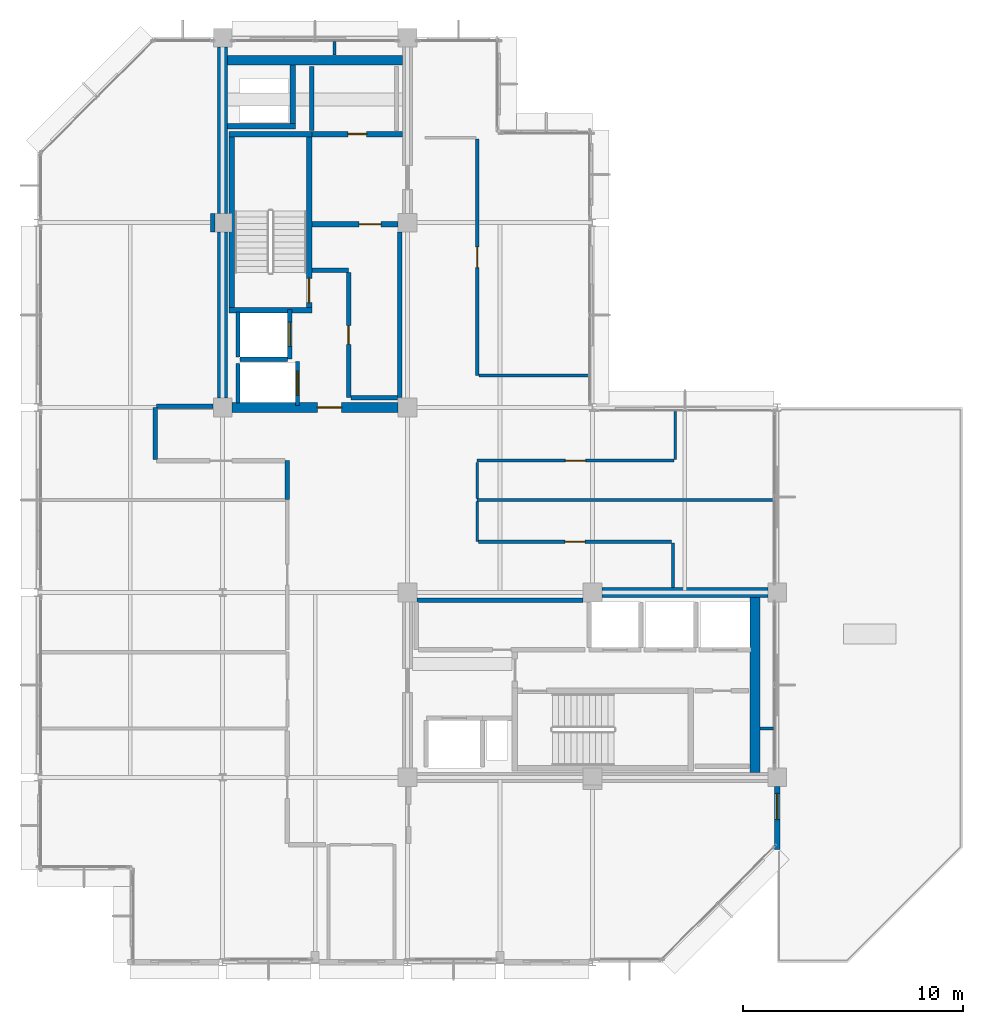
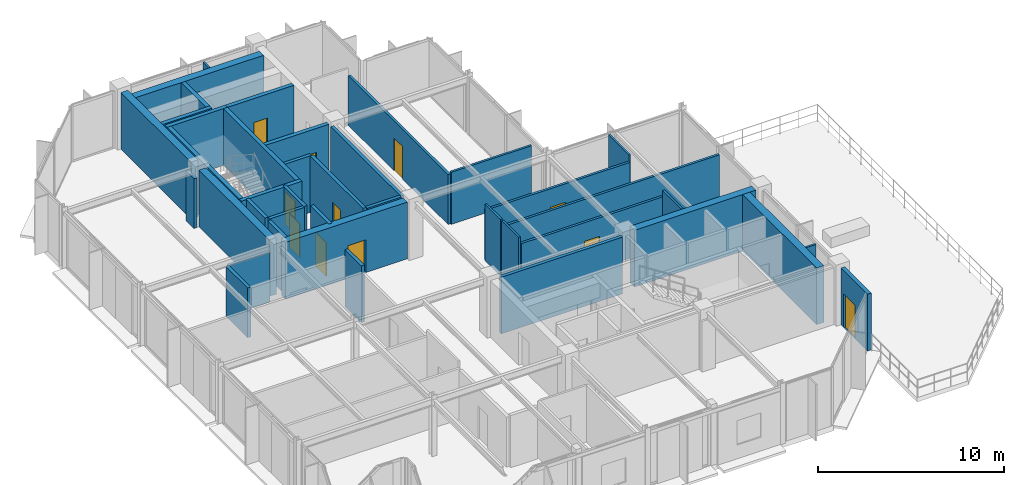
# One storey, part 18 of 23: 41 walls, 11 doors, 11 openings.
"""IFC4 building model written with IfcOpenShell, lengths in metres."""

import ifcopenshell
import ifcopenshell.guid

model = None  # the IFC model being written
_history = None  # IfcOwnerHistory: only IFC2X3 demands one
_inside = {}  # id of a spatial element -> (the spatial element, [elements in it])
_under = {}  # id of a project, library or spatial element -> (it, [spatial elements below it])
_declared = {}  # id of a project -> (the project, [libraries it declares])
_typed = {}  # id of a type object -> (the type object, [elements of that type])
_made_of = {}  # id of a material, layer set ... -> (it, [elements and type objects made of it])


def new_model(schema):
    """Start an empty IFC model of exactly this schema.

    Asked for "IFC4X3", IfcOpenShell would pick the latest addendum, in which some entities
    have other attributes; the version numbers below select the first issue.
    IFC2X3 requires an IfcOwnerHistory on every rooted entity: one is made here for all.
    """
    global model, _history
    if schema == "IFC4X3":
        model = ifcopenshell.file(schema_version=(4, 3, 0, 0))
    else:
        model = ifcopenshell.file(schema=schema)
    _inside.clear()
    _under.clear()
    _declared.clear()
    _typed.clear()
    _made_of.clear()
    _history = None
    if model.schema == "IFC2X3":
        org = make("IfcOrganization", Name="unknown")
        user = make(
            "IfcPersonAndOrganization",
            ThePerson=make("IfcPerson", FamilyName="unknown"),
            TheOrganization=org,
        )
        app = make(
            "IfcApplication",
            ApplicationDeveloper=org,
            Version="unknown",
            ApplicationFullName="unknown",
            ApplicationIdentifier="unknown",
        )
        _history = make(
            "IfcOwnerHistory",
            OwningUser=user,
            OwningApplication=app,
            ChangeAction="ADDED",
            CreationDate=0,
        )
    return model


def make(cls, **values):
    """One entity of the class cls with the attributes given. An attribute that is None is left unset."""
    return model.create_entity(
        cls, **{name: value for name, value in values.items() if value is not None}
    )


def rooted(cls, **values):
    """An entity with a GlobalId (a new one), such as an element, a storey or a relation."""
    return make(cls, GlobalId=ifcopenshell.guid.new(), OwnerHistory=_history, **values)


def si_unit(unit_type, name, prefix=None):
    """IfcSIUnit, for example si_unit("LENGTHUNIT", "METRE", prefix="MILLI")."""
    return make("IfcSIUnit", UnitType=unit_type, Prefix=prefix, Name=name)


def assignment(units):
    """IfcUnitAssignment: the units of a project."""
    return None if units is None else make("IfcUnitAssignment", Units=units)


def point(xyz):
    """IfcCartesianPoint."""
    return None if xyz is None else make("IfcCartesianPoint", Coordinates=xyz)


def direction(xyz):
    """IfcDirection."""
    return None if xyz is None else make("IfcDirection", DirectionRatios=xyz)


def frame(location, z_axis=None, x_axis=None):
    """IfcAxis2Placement3D, a coordinate frame: its origin and axes. An axis left out is left unset."""
    return make(
        "IfcAxis2Placement3D",
        Location=point(location),
        Axis=direction(z_axis),
        RefDirection=direction(x_axis),
    )


def frame_2d(location, x_axis=None):
    """IfcAxis2Placement2D, a coordinate frame in the plane: its origin and x axis."""
    return make(
        "IfcAxis2Placement2D", Location=point(location), RefDirection=direction(x_axis)
    )


def origin():
    """The frame at (0, 0, 0) with its axes left unset."""
    return frame((0.0, 0.0, 0.0))


def place(relative_to, where):
    """IfcLocalPlacement: puts the frame where relative to a parent placement (None: the world)."""
    return make(
        "IfcLocalPlacement", PlacementRelTo=relative_to, RelativePlacement=where
    )


def context(
    kind, dimensions, precision=None, world=None, true_north=None, identifier=None
):
    """IfcGeometricRepresentationContext, for example the 3D "Model" context."""
    return make(
        "IfcGeometricRepresentationContext",
        ContextIdentifier=identifier,
        ContextType=kind,
        CoordinateSpaceDimension=dimensions,
        Precision=precision,
        WorldCoordinateSystem=world,
        TrueNorth=true_north,
    )


def subcontext(parent, identifier, kind, view, scale=None):
    """IfcGeometricRepresentationSubContext, for example "Body" below "Model"."""
    return make(
        "IfcGeometricRepresentationSubContext",
        ContextIdentifier=identifier,
        ContextType=kind,
        ParentContext=parent,
        TargetScale=scale,
        TargetView=view,
    )


def project(units=None, contexts=None):
    """IfcProject with its units and contexts."""
    return rooted(
        "IfcProject",
        Name="project",
        RepresentationContexts=contexts,
        UnitsInContext=assignment(units),
    )


def spatial(cls, under=None, at=None, **own):
    """A site, building, storey or space (cls), placed at a placement, below another one or the project."""
    s = rooted(cls, ObjectPlacement=at, **own)
    if under is not None:
        _under.setdefault(under.id(), (under, []))[1].append(s)
    return s


def profile(cls, at=None, kind="AREA", **sizes):
    """A parametric profile (cls). Its sizes go by their IFC names, for example OverallWidth=200.0."""
    return make(cls, ProfileType=kind, Position=at, **sizes)


def rectangle(**sizes):
    """IfcRectangleProfileDef."""
    return profile("IfcRectangleProfileDef", **sizes)


def extrude(swept, where, along, depth):
    """IfcExtrudedAreaSolid: the profile swept, set in the frame where, extruded along a direction by depth."""
    return make(
        "IfcExtrudedAreaSolid",
        SweptArea=swept,
        Position=where,
        ExtrudedDirection=direction(along),
        Depth=depth,
    )


def shape(context_of_items, identifier, shape_type, items):
    """IfcShapeRepresentation: the items that make up one representation, for example the "Body"."""
    return make(
        "IfcShapeRepresentation",
        ContextOfItems=context_of_items,
        RepresentationIdentifier=identifier,
        RepresentationType=shape_type,
        Items=items,
    )


def material(Name=None, Category=None):
    """IfcMaterial."""
    return make("IfcMaterial", Name=Name, Category=Category)


def layer(
    of_material, thickness, ventilated=None, Name=None, Category=None, Priority=None
):
    """IfcMaterialLayer: one layer of a wall or slab, of a material (None: an air gap)."""
    return make(
        "IfcMaterialLayer",
        Material=of_material,
        LayerThickness=thickness,
        IsVentilated=ventilated,
        Name=Name,
        Category=Category,
        Priority=Priority,
    )


def layer_set(layers, Name=None):
    """IfcMaterialLayerSet."""
    return make("IfcMaterialLayerSet", MaterialLayers=layers, LayerSetName=Name)


def made_of(thing, what):
    """Note that an element or type object is made of a material, layer set ...; save() writes the relation."""
    if what is not None:
        _made_of.setdefault(what.id(), (what, []))[1].append(thing)
    return thing


def type_object(cls, material=None, **own):
    """A type object (cls), such as IfcWallType, which elements share."""
    return made_of(rooted(cls, **own), material)


def element(
    cls,
    number,
    at=None,
    inside=None,
    cuts=None,
    type_object=None,
    material=None,
    context=None,
    identifier="Body",
    shape_type=None,
    held_by="IfcProductDefinitionShape",
    body=None,
    shapes=None,
    **own,
):
    """One element of the class cls, such as IfcWall. Its Tag is "e" and its number.

    at: its placement. inside: the storey or other place that contains it. cuts: it is an
    opening in that element (IfcRelVoidsElement). A single representation is given by context,
    identifier, shape_type and body (its items); several are given by shapes. held_by: the class
    of the entity that holds the representations. save() writes the other relations.
    """
    e = rooted(cls, Tag="e%d" % number, ObjectPlacement=at, **own)
    if body is not None:
        shapes = [shape(context, identifier, shape_type, body)]
    if shapes is not None:
        e.Representation = make(held_by, Representations=shapes)
    if inside is not None:
        _inside.setdefault(inside.id(), (inside, []))[1].append(e)
    if cuts is not None:
        rooted(
            "IfcRelVoidsElement", RelatingBuildingElement=cuts, RelatedOpeningElement=e
        )
    if type_object is not None:
        _typed.setdefault(type_object.id(), (type_object, []))[1].append(e)
    return made_of(e, material)


def fill(opening, filler):
    """IfcRelFillsElement: the door or window that sits in an opening."""
    return rooted(
        "IfcRelFillsElement",
        RelatingOpeningElement=opening,
        RelatedBuildingElement=filler,
    )


def aggregate(whole, parts):
    """IfcRelAggregates: a whole, such as a stair, and the parts it consists of."""
    return rooted("IfcRelAggregates", RelatingObject=whole, RelatedObjects=parts)


def save(model, path):
    """Write the relations noted so far, then the file.

    IfcRelAggregates (storeys below a building ...), IfcRelContainedInSpatialStructure (elements
    in a storey), IfcRelDefinesByType, IfcRelAssociatesMaterial and IfcRelDeclares: one each for
    every whole, place, type object, material and project.
    """
    for whole, parts in _under.values():
        aggregate(whole, parts)
    for where, things in _inside.values():
        rooted(
            "IfcRelContainedInSpatialStructure",
            RelatedElements=things,
            RelatingStructure=where,
        )
    for kind, things in _typed.values():
        rooted("IfcRelDefinesByType", RelatedObjects=things, RelatingType=kind)
    for what, things in _made_of.values():
        rooted("IfcRelAssociatesMaterial", RelatedObjects=things, RelatingMaterial=what)
    for by, libraries in _declared.values():
        rooted("IfcRelDeclares", RelatingContext=by, RelatedDefinitions=libraries)
    model.write(path)


model = new_model("IFC4")

# Units and contexts
model_context = context("Model", 3, precision=1e-05, world=origin(), true_north=direction((0.0, 1.0)))
body_context = subcontext(model_context, "Body", "Model", "MODEL_VIEW")
ifc_project = project(units=[si_unit("LENGTHUNIT", "METRE"), si_unit("AREAUNIT", "SQUARE_METRE"), si_unit("VOLUMEUNIT", "CUBIC_METRE"), si_unit("PLANEANGLEUNIT", "RADIAN"), si_unit("MASSUNIT", "GRAM", prefix="KILO")], contexts=[model_context])

# Site, building, storey
site_placement = place(None, origin())
site = spatial("IfcSite", under=ifc_project, at=site_placement, CompositionType="ELEMENT")
building_placement = place(site_placement, origin())
building = spatial("IfcBuilding", under=site, at=building_placement, Name="Nerrivon Quay Data Exchange", CompositionType="ELEMENT")
storey_placement = place(building_placement, frame((0.0, 0.0, 286.199951171875)))
storey = spatial("IfcBuildingStorey", under=building, at=storey_placement, Name="L68", CompositionType="ELEMENT", Elevation=286.199951171875)

# Wall, opening, door
ifc_material_1 = material(Name="Architectural terracotta precast concrete N50 (50 MPa)", Category="masonry")
ifc_layer_1 = layer(ifc_material_1, 0.239990234375)
ifc_layer_set_1 = layer_set([ifc_layer_1], Name="Architectural terracotta precast concrete N50 (50 MPa)")
wall_type_1 = type_object("IfcWallType", Name="EW-PREC-240", PredefinedType="STANDARD", material=ifc_layer_set_1)
wall_1_placement = place(storey_placement, frame((33.60009765625, 7.97509765625, 0.0), z_axis=(0.0, 0.0, 1.0), x_axis=(0.0, -1.0, 0.0)))
wall_1 = element("IfcWall", 1, at=wall_1_placement, inside=storey, type_object=wall_type_1, Name="L68 Terrace Host Wall 26", PredefinedType="STANDARD", context=body_context, shape_type="SweptSolid", body=[
    extrude(rectangle(XDim=2.849853515625, YDim=0.239990234375, at=frame_2d((1.4248046875, 0.0))), origin(), (0.0, 0.0, 1.0), 3.72509765625),
])
opening_1_placement = place(wall_1_placement, frame((0.300048828125, 0.0, 0.0)))
opening_1 = element("IfcOpeningElement", 2, at=opening_1_placement, cuts=wall_1, Name="Opening TD1", PredefinedType="OPENING", context=body_context, shape_type="SweptSolid", body=[
    extrude(rectangle(XDim=1.199951171875, YDim=2.199951171875, at=frame_2d((0.60009765625, 1.10009765625))), frame((0.0, 0.1298828125, 0.0), z_axis=(0.0, -1.0, 0.0), x_axis=(1.0, 0.0, 0.0)), (0.0, 0.0, 1.0), 0.260009765625),
])
ifc_material_2 = material(Name="Double-glazed low-E solar control glass", Category="glass")
door_type_1 = type_object("IfcDoorType", Name="DR-TERR-1200x2200", OperationType="NOTDEFINED", PredefinedType="DOOR", material=ifc_material_2)
door_1_placement = place(opening_1_placement, origin())
door_1 = element("IfcDoor", 3, at=door_1_placement, inside=storey, type_object=door_type_1, Name="L68 Outdoor Terrace Access Door 26", OperationType="SINGLE_SWING_LEFT", OverallHeight=2.199951171875, OverallWidth=1.199951171875, PredefinedType="DOOR", context=body_context, shape_type="SweptSolid", body=[
    extrude(rectangle(XDim=1.199951171875, YDim=2.199951171875, at=frame_2d((0.60009765625, 1.10009765625))), frame((0.0, 0.02490234375, 0.0), z_axis=(0.0, -1.0, 0.0), x_axis=(1.0, 0.0, 0.0)), (0.0, 0.0, 1.0), 0.050048828125),
])
fill(opening_1, door_1)

# Walls
ifc_material_3 = material(Name="Concrete N50 (50 MPa)", Category="concrete")
ifc_layer_2 = layer(ifc_material_3, 0.449951171875)
ifc_layer_set_2 = layer_set([ifc_layer_2], Name="Concrete N50 (50 MPa)")
wall_type_2 = type_object("IfcWallType", Name="WALL-CW-550", PredefinedType="SHEAR", material=ifc_layer_set_2)
for number, where, z_axis, x_axis, name in (
    (4, (8.39990234375, 25.625, 0.0), (0.0, 0.0, 1.0), (0.0, 1.0, 0.0), "L68 West Split-Core Shear Wall WCW-W1"),
    (5, (8.39990234375, 34.02490234375, 0.0), (0.0, 0.0, 1.0), (0.0, 1.0, 0.0), "L68 West Split-Core Shear Wall WCW-W2"),
):
    element("IfcWall", number, at=place(storey_placement, frame(where, z_axis=z_axis, x_axis=x_axis)), inside=storey, type_object=wall_type_2, Name=name, PredefinedType="SHEAR", context=body_context, shape_type="SweptSolid", body=[
        extrude(rectangle(XDim=7.550048828125, YDim=0.449951171875, at=frame_2d((3.77490234375, 0.0))), origin(), (0.0, 0.0, 1.0), 3.72509765625),
    ])
wall_2_placement = place(storey_placement, frame((8.625, 40.97509765625, 0.0), z_axis=(0.0, 0.0, 1.0), x_axis=(1.0, 0.0, 0.0)))
element("IfcWall", 6, at=wall_2_placement, inside=storey, type_object=wall_type_2, Name="L68 West Split-Core Shear Wall WCW-N1", PredefinedType="SHEAR", context=body_context, shape_type="SweptSolid", body=[
    extrude(rectangle(XDim=7.949951171875, YDim=0.449951171875, at=frame_2d((3.97509765625, 0.0))), origin(), (0.0, 0.0, 1.0), 3.72509765625),
])

# Wall, opening, door
wall_3_placement = place(storey_placement, frame((8.824951171875, 25.199951171875, 0.0), z_axis=(0.0, 0.0, 1.0), x_axis=(1.0, 0.0, 0.0)))
wall_3 = element("IfcWall", 7, at=wall_3_placement, inside=storey, type_object=wall_type_2, Name="L68 West Split-Core Shear Wall WCW-S1", PredefinedType="SHEAR", context=body_context, shape_type="SweptSolid", body=[
    extrude(rectangle(XDim=7.550048828125, YDim=0.449951171875, at=frame_2d((3.77490234375, 0.0))), origin(), (0.0, 0.0, 1.0), 3.72509765625),
])
opening_2_placement = place(wall_3_placement, frame((3.875, 0.0, 0.0)))
opening_2 = element("IfcOpeningElement", 8, at=opening_2_placement, cuts=wall_3, Name="Opening FD-120", PredefinedType="OPENING", context=body_context, shape_type="SweptSolid", body=[
    extrude(rectangle(XDim=1.10009765625, YDim=2.14990234375, at=frame_2d((0.550048828125, 1.074951171875))), frame((0.0, 0.23486328125, 0.0), z_axis=(0.0, -1.0, 0.0), x_axis=(1.0, 0.0, 0.0)), (0.0, 0.0, 1.0), 0.469970703125),
])
ifc_material_4 = material(Name="Powder-coated galvanized steel sheet", Category="steel")
door_type_2 = type_object("IfcDoorType", Name="DR-FD120-1100", OperationType="NOTDEFINED", PredefinedType="DOOR", material=ifc_material_4)
door_2_placement = place(opening_2_placement, origin())
door_2 = element("IfcDoor", 9, at=door_2_placement, inside=storey, type_object=door_type_2, Name="L68 West Core Lobby Fire Door", OperationType="SINGLE_SWING_LEFT", OverallHeight=2.14990234375, OverallWidth=1.10009765625, PredefinedType="DOOR", context=body_context, shape_type="SweptSolid", body=[
    extrude(rectangle(XDim=1.10009765625, YDim=2.14990234375, at=frame_2d((0.550048828125, 1.074951171875))), frame((0.0, 0.02490234375, 0.0), z_axis=(0.0, -1.0, 0.0), x_axis=(1.0, 0.0, 0.0)), (0.0, 0.0, 1.0), 0.050048828125),
])
fill(opening_2, door_2)

# Walls
wall_4_placement = place(storey_placement, frame((32.574951171875, 8.625, 0.0), z_axis=(0.0, 0.0, 1.0), x_axis=(0.0, 1.0, 0.0)))
element("IfcWall", 10, at=wall_4_placement, inside=storey, type_object=wall_type_2, Name="L68 East Split-Core Shear Wall ECW-E1", PredefinedType="SHEAR", context=body_context, shape_type="SweptSolid", body=[
    extrude(rectangle(XDim=7.949951171875, YDim=0.449951171875, at=frame_2d((3.97509765625, 0.0))), origin(), (0.0, 0.0, 1.0), 3.72509765625),
])
wall_5_placement = place(storey_placement, frame((25.625, 16.800048828125, 0.0), z_axis=(0.0, 0.0, 1.0), x_axis=(1.0, 0.0, 0.0)))
element("IfcWall", 11, at=wall_5_placement, inside=storey, type_object=wall_type_2, Name="L68 East Split-Core Shear Wall ECW-N1", PredefinedType="SHEAR", context=body_context, shape_type="SweptSolid", body=[
    extrude(rectangle(XDim=7.550048828125, YDim=0.449951171875, at=frame_2d((3.77490234375, 0.0))), origin(), (0.0, 0.0, 1.0), 3.72509765625),
])

# Wall, opening, door
ifc_material_5 = material(Name="Gypsum plasterboard on cold-formed framing", Category="gypsum")
ifc_layer_3 = layer(ifc_material_5, 0.199951171875)
ifc_layer_set_3 = layer_set([ifc_layer_3], Name="Gypsum plasterboard on cold-formed framing")
wall_type_3 = type_object("IfcWallType", Name="WALL-FW-200", PredefinedType="PARTITIONING", material=ifc_layer_set_3)
wall_6_placement = place(storey_placement, frame((11.449951171875, 27.39990234375, 0.0), z_axis=(0.0, 0.0, 1.0), x_axis=(0.0, 1.0, 0.0)))
wall_6 = element("IfcWall", 12, at=wall_6_placement, inside=storey, type_object=wall_type_3, Name="L68 Lift Front Wall FFL-1", PredefinedType="PARTITIONING", context=body_context, shape_type="SweptSolid", body=[
    extrude(rectangle(XDim=2.25, YDim=0.199951171875, at=frame_2d((1.125, 0.0))), origin(), (0.0, 0.0, 1.0), 3.72509765625),
])
opening_3_placement = place(wall_6_placement, frame((0.574951171875, 0.0, 0.0)))
opening_3 = element("IfcOpeningElement", 13, at=opening_3_placement, cuts=wall_6, Name="Opening LD-120", PredefinedType="OPENING", context=body_context, shape_type="SweptSolid", body=[
    extrude(rectangle(XDim=1.10009765625, YDim=2.199951171875, at=frame_2d((0.550048828125, 1.10009765625))), frame((0.0, 0.10986328125, 0.0), z_axis=(0.0, -1.0, 0.0), x_axis=(1.0, 0.0, 0.0)), (0.0, 0.0, 1.0), 0.219970703125),
])
door_type_3 = type_object("IfcDoorType", Name="DR-LIFT-LD120", OperationType="DOUBLE_DOOR_SLIDING", PredefinedType="DOOR", material=ifc_material_4)
door_3_placement = place(opening_3_placement, origin())
door_3 = element("IfcDoor", 14, at=door_3_placement, inside=storey, type_object=door_type_3, Name="L68 Lift Landing Sliding Door FFL-1", OperationType="DOUBLE_DOOR_SLIDING", OverallHeight=2.199951171875, OverallWidth=1.10009765625, PredefinedType="DOOR", context=body_context, shape_type="SweptSolid", body=[
    extrude(rectangle(XDim=1.10009765625, YDim=2.199951171875, at=frame_2d((0.550048828125, 1.10009765625))), frame((0.0, 0.02490234375, 0.0), z_axis=(0.0, -1.0, 0.0), x_axis=(1.0, 0.0, 0.0)), (0.0, 0.0, 1.0), 0.050048828125),
])
fill(opening_3, door_3)

# Walls
wall_7_placement = place(storey_placement, frame((9.10009765625, 27.5, 0.0), z_axis=(0.0, 0.0, 1.0), x_axis=(0.0, 1.0, 0.0)))
element("IfcWall", 15, at=wall_7_placement, inside=storey, type_object=wall_type_3, Name="L68 Lift Shaft Wall FFL-1 WEST", PredefinedType="PARTITIONING", context=body_context, shape_type="SweptSolid", body=[
    extrude(rectangle(XDim=2.050048828125, YDim=0.199951171875, at=frame_2d((1.02490234375, 0.0))), origin(), (0.0, 0.0, 1.0), 3.72509765625),
])
wall_8_placement = place(storey_placement, frame((9.199951171875, 27.39990234375, 0.0), z_axis=(0.0, 0.0, 1.0), x_axis=(1.0, 0.0, 0.0)))
element("IfcWall", 16, at=wall_8_placement, inside=storey, type_object=wall_type_3, Name="L68 Lift Shaft Wall FFL-1 SOUTH", PredefinedType="PARTITIONING", context=body_context, shape_type="SweptSolid", body=[
    extrude(rectangle(XDim=2.150146484375, YDim=0.199951171875, at=frame_2d((1.0751953125, 0.0))), origin(), (0.0, 0.0, 1.0), 3.72509765625),
])

# Wall, opening, door
wall_9_placement = place(storey_placement, frame((11.800048828125, 25.300048828125, 0.0), z_axis=(0.0, 0.0, 1.0), x_axis=(0.0, 1.0, 0.0)))
wall_9 = element("IfcWall", 17, at=wall_9_placement, inside=storey, type_object=wall_type_3, Name="L68 Lift Front Wall SVL-1", PredefinedType="PARTITIONING", context=body_context, shape_type="SweptSolid", body=[
    extrude(rectangle(XDim=2.0, YDim=0.199951171875, at=frame_2d((1.0, 0.0))), origin(), (0.0, 0.0, 1.0), 3.72509765625),
])
opening_4_placement = place(wall_9_placement, frame((0.449951171875, 0.0, 0.0)))
opening_4 = element("IfcOpeningElement", 18, at=opening_4_placement, cuts=wall_9, Name="Opening LD-120", PredefinedType="OPENING", context=body_context, shape_type="SweptSolid", body=[
    extrude(rectangle(XDim=1.10009765625, YDim=2.199951171875, at=frame_2d((0.550048828125, 1.10009765625))), frame((0.0, 0.10986328125, 0.0), z_axis=(0.0, -1.0, 0.0), x_axis=(1.0, 0.0, 0.0)), (0.0, 0.0, 1.0), 0.219970703125),
])
door_4_placement = place(opening_4_placement, origin())
door_4 = element("IfcDoor", 19, at=door_4_placement, inside=storey, type_object=door_type_3, Name="L68 Lift Landing Sliding Door SVL-1", OperationType="DOUBLE_DOOR_SLIDING", OverallHeight=2.199951171875, OverallWidth=1.10009765625, PredefinedType="DOOR", context=body_context, shape_type="SweptSolid", body=[
    extrude(rectangle(XDim=1.10009765625, YDim=2.199951171875, at=frame_2d((0.550048828125, 1.10009765625))), frame((0.0, 0.02490234375, 0.0), z_axis=(0.0, -1.0, 0.0), x_axis=(1.0, 0.0, 0.0)), (0.0, 0.0, 1.0), 0.050048828125),
])
fill(opening_4, door_4)

# Walls
wall_10_placement = place(storey_placement, frame((9.10009765625, 25.39990234375, 0.0), z_axis=(0.0, 0.0, 1.0), x_axis=(0.0, 1.0, 0.0)))
element("IfcWall", 20, at=wall_10_placement, inside=storey, type_object=wall_type_3, Name="L68 Lift Shaft Wall SVL-1 WEST", PredefinedType="PARTITIONING", context=body_context, shape_type="SweptSolid", body=[
    extrude(rectangle(XDim=1.800048828125, YDim=0.199951171875, at=frame_2d((0.89990234375, 0.0))), origin(), (0.0, 0.0, 1.0), 3.72509765625),
])
wall_11_placement = place(storey_placement, frame((16.449951171875, 25.64990234375, 0.0), z_axis=(0.0, 0.0, 1.0), x_axis=(0.0, 1.0, 0.0)))
element("IfcWall", 21, at=wall_11_placement, inside=storey, type_object=wall_type_3, Name="L68 Partition Telemetry Hub Closet", PredefinedType="PARTITIONING", context=body_context, shape_type="SweptSolid", body=[
    extrude(rectangle(XDim=7.52001953125, YDim=0.199951171875, at=frame_2d((3.760009765625, 0.0))), origin(), (0.0, 0.0, 1.0), 3.72509765625),
])
wall_12_placement = place(storey_placement, frame((12.4541015625, 31.43994140625, 0.0), z_axis=(0.0, 0.0, 1.0), x_axis=(1.0, 0.0, 0.0)))
element("IfcWall", 22, at=wall_12_placement, inside=storey, type_object=wall_type_3, Name="L68 Partition Telemetry Hub Closet", PredefinedType="PARTITIONING", context=body_context, shape_type="SweptSolid", body=[
    extrude(rectangle(XDim=1.666015625, YDim=0.199951171875, at=frame_2d((0.8330078125, 0.0))), origin(), (0.0, 0.0, 1.0), 3.72509765625),
])

# Wall, opening, door
wall_13_placement = place(storey_placement, frame((14.1201171875, 31.3359375, 0.0), z_axis=(0.0, 0.0, 1.0), x_axis=(0.0, -1.0, 0.0)))
wall_13 = element("IfcWall", 23, at=wall_13_placement, inside=storey, type_object=wall_type_3, Name="L68 Partition Telemetry Hub Closet", PredefinedType="PARTITIONING", context=body_context, shape_type="SweptSolid", body=[
    extrude(rectangle(XDim=5.68603515625, YDim=0.199951171875, at=frame_2d((2.843017578125, 0.0))), origin(), (0.0, 0.0, 1.0), 3.72509765625),
])
opening_5_placement = place(wall_13_placement, frame((2.41796875, 0.0, 0.0)))
opening_5 = element("IfcOpeningElement", 24, at=opening_5_placement, cuts=wall_13, Name="Opening FD-60S", PredefinedType="OPENING", context=body_context, shape_type="SweptSolid", body=[
    extrude(rectangle(XDim=0.85009765625, YDim=2.14990234375, at=frame_2d((0.425048828125, 1.074951171875))), frame((0.0, 0.10986328125, 0.0), z_axis=(0.0, -1.0, 0.0), x_axis=(1.0, 0.0, 0.0)), (0.0, 0.0, 1.0), 0.219970703125),
])
ifc_material_6 = material(Name="Engineered hardwood timber", Category="wood")
door_type_4 = type_object("IfcDoorType", Name="DR-FD60-850", OperationType="NOTDEFINED", PredefinedType="DOOR", material=ifc_material_6)
door_5_placement = place(opening_5_placement, origin())
door_5 = element("IfcDoor", 25, at=door_5_placement, inside=storey, type_object=door_type_4, Name="L68 Door Telemetry Hub Closet", OperationType="SINGLE_SWING_LEFT", OverallHeight=2.14990234375, OverallWidth=0.85009765625, PredefinedType="DOOR", context=body_context, shape_type="SweptSolid", body=[
    extrude(rectangle(XDim=0.85009765625, YDim=2.14990234375, at=frame_2d((0.425048828125, 1.074951171875))), frame((0.0, 0.02490234375, 0.0), z_axis=(0.0, -1.0, 0.0), x_axis=(1.0, 0.0, 0.0)), (0.0, 0.0, 1.0), 0.050048828125),
])
fill(opening_5, door_5)

# Walls
wall_14_placement = place(storey_placement, frame((14.22412109375, 25.64990234375, 0.0), z_axis=(0.0, 0.0, 1.0), x_axis=(1.0, 0.0, 0.0)))
element("IfcWall", 26, at=wall_14_placement, inside=storey, type_object=wall_type_3, Name="L68 Partition Telemetry Hub Closet", PredefinedType="PARTITIONING", context=body_context, shape_type="SweptSolid", body=[
    extrude(rectangle(XDim=2.121826171875, YDim=0.199951171875, at=frame_2d((1.06103515625, 0.0))), origin(), (0.0, 0.0, 1.0), 3.72509765625),
])
wall_15_placement = place(storey_placement, frame((12.449951171875, 40.699951171875, 0.0), z_axis=(0.0, 0.0, 1.0), x_axis=(0.0, -1.0, 0.0)))
element("IfcWall", 27, at=wall_15_placement, inside=storey, type_object=wall_type_3, Name="L68 Partition Cleaners Store", PredefinedType="PARTITIONING", context=body_context, shape_type="SweptSolid", body=[
    extrude(rectangle(XDim=2.919921875, YDim=0.199951171875, at=frame_2d((1.4599609375, 0.0))), origin(), (0.0, 0.0, 1.0), 2.775146484375),
])
wall_16_placement = place(storey_placement, frame((24.77001953125, 16.449951171875, 0.0), z_axis=(0.0, 0.0, 1.0), x_axis=(-1.0, 0.0, 0.0)))
element("IfcWall", 28, at=wall_16_placement, inside=storey, type_object=wall_type_3, Name="L68 Partition High-Zone Telemetry Equipment Store", PredefinedType="PARTITIONING", context=body_context, shape_type="SweptSolid", body=[
    extrude(rectangle(XDim=7.5400390625, YDim=0.199951171875, at=frame_2d((3.77001953125, 0.0))), origin(), (0.0, 0.0, 1.0), 3.72509765625),
])
wall_17_placement = place(storey_placement, frame((7.955810546875, 33.169189453125, 0.0), z_axis=(0.0, 0.0, 1.0), x_axis=(-0.000855919801, 0.999999633701, 0.0)))
element("IfcWall", 29, at=wall_17_placement, inside=storey, type_object=wall_type_3, Name="L68 Partition Sky Lobby Transfer Concourse", PredefinedType="PARTITIONING", context=body_context, shape_type="SweptSolid", body=[
    extrude(rectangle(XDim=0.855712890625, YDim=0.199951171875, at=frame_2d((0.427734375, 0.0))), origin(), (0.0, 0.0, 1.0), 3.27099609375),
])
wall_18_placement = place(storey_placement, frame((11.340087890625, 21.02001953125, 0.0), z_axis=(0.0, 0.0, 1.0), x_axis=(0.0, 1.0, 0.0)))
element("IfcWall", 30, at=wall_18_placement, inside=storey, type_object=wall_type_3, Name="L68 Partition Sky Lobby Transfer Concourse", PredefinedType="PARTITIONING", context=body_context, shape_type="SweptSolid", body=[
    extrude(rectangle(XDim=1.77001953125, YDim=0.199951171875, at=frame_2d((0.885009765625, 0.0))), origin(), (0.0, 0.0, 1.0), 3.72509765625),
])
wall_19_placement = place(storey_placement, frame((5.340087890625, 22.85009765625, 0.0), z_axis=(0.0, 0.0, 1.0), x_axis=(0.0, 1.0, 0.0)))
element("IfcWall", 31, at=wall_19_placement, inside=storey, type_object=wall_type_3, Name="L68 Partition Sky Lobby Transfer Concourse", PredefinedType="PARTITIONING", context=body_context, shape_type="SweptSolid", body=[
    extrude(rectangle(XDim=2.349853515625, YDim=0.199951171875, at=frame_2d((1.1748046875, 0.0))), origin(), (0.0, 0.0, 1.0), 3.27099609375),
])
wall_20_placement = place(storey_placement, frame((5.39990234375, 25.260009765625, 0.0), z_axis=(0.0, 0.0, 1.0), x_axis=(1.0, 0.0, 0.0)))
element("IfcWall", 32, at=wall_20_placement, inside=storey, type_object=wall_type_3, Name="L68 Partition Sky Lobby Transfer Concourse", PredefinedType="PARTITIONING", context=body_context, shape_type="SweptSolid", body=[
    extrude(rectangle(XDim=2.55517578125, YDim=0.199951171875, at=frame_2d((1.277587890625, 0.0))), origin(), (0.0, 0.0, 1.0), 3.27099609375),
])
ifc_layer_4 = layer(ifc_material_5, 0.1201171875)
ifc_layer_set_4 = layer_set([ifc_layer_4], Name="Gypsum plasterboard on cold-formed framing")
wall_type_4 = type_object("IfcWallType", Name="WALL-PT-120", PredefinedType="PARTITIONING", material=ifc_layer_set_4)
wall_21_placement = place(storey_placement, frame((32.803955078125, 10.618896484375, 0.0), z_axis=(0.0, 0.0, 1.0), x_axis=(1.0, 0.0, 0.0)))
element("IfcWall", 33, at=wall_21_placement, inside=storey, type_object=wall_type_4, Name="L68 Partition Public Washrooms", PredefinedType="PARTITIONING", context=body_context, shape_type="SweptSolid", body=[
    extrude(rectangle(XDim=0.626953125, YDim=0.1201171875, at=frame_2d((0.3134765625, 0.0))), origin(), (0.0, 0.0, 1.0), 3.72509765625),
])
wall_22_placement = place(storey_placement, frame((19.9599609375, 20.9208984375, 0.0), z_axis=(0.0, 0.0, 1.0), x_axis=(0.0, -1.0, 0.0)))
element("IfcWall", 34, at=wall_22_placement, inside=storey, type_object=wall_type_4, Name="L68 Partition Public Washrooms", PredefinedType="PARTITIONING", context=body_context, shape_type="SweptSolid", body=[
    extrude(rectangle(XDim=1.810791015625, YDim=0.1201171875, at=frame_2d((0.9052734375, 0.0))), origin(), (0.0, 0.0, 1.0), 3.72509765625),
])
wall_23_placement = place(storey_placement, frame((28.860107421875, 19.050048828125, 0.0), z_axis=(0.0, 0.0, 1.0), x_axis=(0.0, -1.0, 0.0)))
element("IfcWall", 35, at=wall_23_placement, inside=storey, type_object=wall_type_4, Name="L68 Partition Public Washrooms", PredefinedType="PARTITIONING", context=body_context, shape_type="SweptSolid", body=[
    extrude(rectangle(XDim=2.02099609375, YDim=0.1201171875, at=frame_2d((1.010498046875, 0.0))), origin(), (0.0, 0.0, 1.0), 3.72509765625),
])
wall_24_placement = place(storey_placement, frame((19.9599609375, 22.7109375, 0.0), z_axis=(0.0, 0.0, 1.0), x_axis=(0.0, -1.0, 0.0)))
element("IfcWall", 36, at=wall_24_placement, inside=storey, type_object=wall_type_4, Name="L68 Partition Public Washrooms", PredefinedType="PARTITIONING", context=body_context, shape_type="SweptSolid", body=[
    extrude(rectangle(XDim=1.6318359375, YDim=0.1201171875, at=frame_2d((0.81591796875, 0.0))), origin(), (0.0, 0.0, 1.0), 3.72509765625),
])
wall_25_placement = place(storey_placement, frame((28.9599609375, 25.031005859375, 0.0), z_axis=(0.0, 0.0, 1.0), x_axis=(0.0, -1.0, 0.0)))
element("IfcWall", 37, at=wall_25_placement, inside=storey, type_object=wall_type_4, Name="L68 Partition Public Washrooms", PredefinedType="PARTITIONING", context=body_context, shape_type="SweptSolid", body=[
    extrude(rectangle(XDim=2.180908203125, YDim=0.1201171875, at=frame_2d((1.09033203125, 0.0))), origin(), (0.0, 0.0, 1.0), 3.72509765625),
])
wall_26_placement = place(storey_placement, frame((13.47998046875, 41.8310546875, 0.0), z_axis=(0.0, 0.0, 1.0), x_axis=(0.0, -1.0, 0.0)))
element("IfcWall", 38, at=wall_26_placement, inside=storey, type_object=wall_type_4, Name="L68 Partition Technical Library", PredefinedType="PARTITIONING", context=body_context, shape_type="SweptSolid", body=[
    extrude(rectangle(XDim=0.626953125, YDim=0.1201171875, at=frame_2d((0.3134765625, 0.0))), origin(), (0.0, 0.0, 1.0), 3.72509765625),
])
ifc_layer_5 = layer(ifc_material_5, 0.135009765625)
ifc_layer_set_5 = layer_set([ifc_layer_5], Name="Gypsum plasterboard on cold-formed framing")
wall_type_5 = type_object("IfcWallType", Name="WALL-PT-135", PredefinedType="PARTITIONING", material=ifc_layer_set_5)
wall_27_placement = place(storey_placement, frame((20.0390625, 26.656494140625, 0.0), z_axis=(0.0, 0.0, 1.0), x_axis=(1.0, 0.0, 0.0)))
element("IfcWall", 39, at=wall_27_placement, inside=storey, type_object=wall_type_5, Name="L68 Partition Technical Library", PredefinedType="PARTITIONING", context=body_context, shape_type="SweptSolid", body=[
    extrude(rectangle(XDim=4.991943359375, YDim=0.135009765625, at=frame_2d((2.49609375, 0.0))), origin(), (0.0, 0.0, 1.0), 3.421142578125),
])
ifc_layer_6 = layer(ifc_material_5, 0.14990234375)
ifc_layer_set_6 = layer_set([ifc_layer_6], Name="Gypsum plasterboard on cold-formed framing")
wall_type_6 = type_object("IfcWallType", Name="WALL-PT-150", PredefinedType="PARTITIONING", material=ifc_layer_set_6)
wall_28_placement = place(storey_placement, frame((33.430908203125, 21.0, 0.0), z_axis=(0.0, 0.0, 1.0), x_axis=(-1.0, 0.0, 0.0)))
element("IfcWall", 40, at=wall_28_placement, inside=storey, type_object=wall_type_6, Name="L68 Partition Public Washrooms", PredefinedType="PARTITIONING", context=body_context, shape_type="SweptSolid", body=[
    extrude(rectangle(XDim=13.470947265625, YDim=0.14990234375, at=frame_2d((6.7353515625, 0.0))), origin(), (0.0, 0.0, 1.0), 3.319091796875),
])

# Wall, opening, door
wall_29_placement = place(storey_placement, frame((20.02392578125, 19.110107421875, 0.0), z_axis=(0.0, 0.0, 1.0), x_axis=(1.0, 0.0, 0.0)))
wall_29 = element("IfcWall", 41, at=wall_29_placement, inside=storey, type_object=wall_type_6, Name="L68 Partition Public Washrooms", PredefinedType="PARTITIONING", context=body_context, shape_type="SweptSolid", body=[
    extrude(rectangle(XDim=8.776123046875, YDim=0.14990234375, at=frame_2d((4.38818359375, 0.0))), origin(), (0.0, 0.0, 1.0), 3.319091796875),
])
opening_6_placement = place(wall_29_placement, frame((3.927978515625, 0.0, 0.0)))
opening_6 = element("IfcOpeningElement", 42, at=opening_6_placement, cuts=wall_29, Name="Opening D-WC", PredefinedType="OPENING", context=body_context, shape_type="SweptSolid", body=[
    extrude(rectangle(XDim=0.919921875, YDim=2.10009765625, at=frame_2d((0.4599609375, 1.050048828125))), frame((0.0, 0.0849609375, 0.0), z_axis=(0.0, -1.0, 0.0), x_axis=(1.0, 0.0, 0.0)), (0.0, 0.0, 1.0), 0.169921875),
])
door_type_5 = type_object("IfcDoorType", Name="DR-WC-920", OperationType="NOTDEFINED", PredefinedType="DOOR", material=ifc_material_6)
door_6_placement = place(opening_6_placement, origin())
door_6 = element("IfcDoor", 43, at=door_6_placement, inside=storey, type_object=door_type_5, Name="L68 Door Public Washrooms", OperationType="SINGLE_SWING_LEFT", OverallHeight=2.10009765625, OverallWidth=0.919921875, PredefinedType="DOOR", context=body_context, shape_type="SweptSolid", body=[
    extrude(rectangle(XDim=0.919921875, YDim=2.10009765625, at=frame_2d((0.4599609375, 1.050048828125))), frame((0.0, 0.02490234375, 0.0), z_axis=(0.0, -1.0, 0.0), x_axis=(1.0, 0.0, 0.0)), (0.0, 0.0, 1.0), 0.050048828125),
])
fill(opening_6, door_6)

wall_30_placement = place(storey_placement, frame((28.89990234375, 22.7900390625, 0.0), z_axis=(0.0, 0.0, 1.0), x_axis=(-1.0, 0.0, 0.0)))
wall_30 = element("IfcWall", 44, at=wall_30_placement, inside=storey, type_object=wall_type_6, Name="L68 Partition Public Washrooms", PredefinedType="PARTITIONING", context=body_context, shape_type="SweptSolid", body=[
    extrude(rectangle(XDim=8.93994140625, YDim=0.14990234375, at=frame_2d((4.469970703125, 0.0))), origin(), (0.0, 0.0, 1.0), 3.319091796875),
])
opening_7_placement = place(wall_30_placement, frame((4.010009765625, 0.0, 0.0)))
opening_7 = element("IfcOpeningElement", 45, at=opening_7_placement, cuts=wall_30, Name="Opening D-WC", PredefinedType="OPENING", context=body_context, shape_type="SweptSolid", body=[
    extrude(rectangle(XDim=0.919921875, YDim=2.10009765625, at=frame_2d((0.4599609375, 1.050048828125))), frame((0.0, 0.0849609375, 0.0), z_axis=(0.0, -1.0, 0.0), x_axis=(1.0, 0.0, 0.0)), (0.0, 0.0, 1.0), 0.169921875),
])
door_7_placement = place(opening_7_placement, origin())
door_7 = element("IfcDoor", 46, at=door_7_placement, inside=storey, type_object=door_type_5, Name="L68 Door Public Washrooms", OperationType="SINGLE_SWING_RIGHT", OverallHeight=2.10009765625, OverallWidth=0.919921875, PredefinedType="DOOR", context=body_context, shape_type="SweptSolid", body=[
    extrude(rectangle(XDim=0.919921875, YDim=2.10009765625, at=frame_2d((0.4599609375, 1.050048828125))), frame((0.0, 0.02490234375, 0.0), z_axis=(0.0, -1.0, 0.0), x_axis=(1.0, 0.0, 0.0)), (0.0, 0.0, 1.0), 0.050048828125),
])
fill(opening_7, door_7)

wall_31_placement = place(storey_placement, frame((19.9599609375, 37.39990234375, 0.0), z_axis=(0.0, 0.0, 1.0), x_axis=(0.0, -1.0, 0.0)))
wall_31 = element("IfcWall", 47, at=wall_31_placement, inside=storey, type_object=wall_type_6, Name="L68 Partition Technical Library", PredefinedType="PARTITIONING", context=body_context, shape_type="SweptSolid", body=[
    extrude(rectangle(XDim=10.743408203125, YDim=0.14990234375, at=frame_2d((5.37158203125, 0.0))), origin(), (0.0, 0.0, 1.0), 3.27099609375),
])
opening_8_placement = place(wall_31_placement, frame((4.896728515625, 0.0, 0.0)))
opening_8 = element("IfcOpeningElement", 48, at=opening_8_placement, cuts=wall_31, Name="Opening D-01", PredefinedType="OPENING", context=body_context, shape_type="SweptSolid", body=[
    extrude(rectangle(XDim=0.949951171875, YDim=2.14990234375, at=frame_2d((0.47509765625, 1.074951171875))), frame((0.0, 0.0849609375, 0.0), z_axis=(0.0, -1.0, 0.0), x_axis=(1.0, 0.0, 0.0)), (0.0, 0.0, 1.0), 0.169921875),
])
door_type_6 = type_object("IfcDoorType", Name="DR-INT-950", OperationType="NOTDEFINED", PredefinedType="DOOR", material=ifc_material_6)
door_8_placement = place(opening_8_placement, origin())
door_8 = element("IfcDoor", 49, at=door_8_placement, inside=storey, type_object=door_type_6, Name="L68 Door Technical Library", OperationType="SINGLE_SWING_RIGHT", OverallHeight=2.14990234375, OverallWidth=0.949951171875, PredefinedType="DOOR", context=body_context, shape_type="SweptSolid", body=[
    extrude(rectangle(XDim=0.949951171875, YDim=2.14990234375, at=frame_2d((0.47509765625, 1.074951171875))), frame((0.0, 0.02490234375, 0.0), z_axis=(0.0, -1.0, 0.0), x_axis=(1.0, 0.0, 0.0)), (0.0, 0.0, 1.0), 0.050048828125),
])
fill(opening_8, door_8)

# Walls
ifc_layer_7 = layer(ifc_material_3, 0.25)
ifc_layer_set_7 = layer_set([ifc_layer_7], Name="Concrete N50 (50 MPa)")
wall_type_7 = type_object("IfcWallType", Name="WALL-SW-250", PredefinedType="SHEAR", material=ifc_layer_set_7)
for number, where, z_axis, x_axis, name in (
    (50, (12.449951171875, 29.625, 0.0), (0.0, 0.0, 1.0), (-1.0, 0.0, 0.0), "L68 ST01 Structural Stair Core Wall NEAR"),
    (51, (12.449951171875, 37.625, 0.0), (0.0, 0.0, 1.0), (-1.0, 0.0, 0.0), "L68 ST01 Structural Stair Core Wall FAR"),
):
    element("IfcWall", number, at=place(storey_placement, frame(where, z_axis=z_axis, x_axis=x_axis)), inside=storey, type_object=wall_type_7, Name=name, PredefinedType="SHEAR", context=body_context, shape_type="SweptSolid", body=[
        extrude(rectangle(XDim=3.75, YDim=0.25, at=frame_2d((1.875, 0.0))), origin(), (0.0, 0.0, 1.0), 3.72509765625),
    ])

# Wall, opening, door
wall_32_placement = place(storey_placement, frame((12.324951171875, 29.75, 0.0), z_axis=(0.0, 0.0, 1.0), x_axis=(0.0, 1.0, 0.0)))
wall_32 = element("IfcWall", 52, at=wall_32_placement, inside=storey, type_object=wall_type_7, Name="L68 ST01 Structural Stair Core Wall LEFT", PredefinedType="SHEAR", context=body_context, shape_type="SweptSolid", body=[
    extrude(rectangle(XDim=7.75, YDim=0.25, at=frame_2d((3.875, 0.0))), origin(), (0.0, 0.0, 1.0), 3.72509765625),
])
opening_9_placement = place(wall_32_placement, frame((0.219970703125, 0.0, 0.0)))
opening_9 = element("IfcOpeningElement", 53, at=opening_9_placement, cuts=wall_32, Name="Opening FD-120", PredefinedType="OPENING", context=body_context, shape_type="SweptSolid", body=[
    extrude(rectangle(XDim=1.10009765625, YDim=2.14990234375, at=frame_2d((0.550048828125, 1.074951171875))), frame((0.0, 0.135009765625, 0.0), z_axis=(0.0, -1.0, 0.0), x_axis=(1.0, 0.0, 0.0)), (0.0, 0.0, 1.0), 0.27001953125),
])
door_9_placement = place(opening_9_placement, origin())
door_9 = element("IfcDoor", 54, at=door_9_placement, inside=storey, type_object=door_type_2, Name="L68 Protected Stair Door ST01", OperationType="SINGLE_SWING_LEFT", OverallHeight=2.14990234375, OverallWidth=1.10009765625, PredefinedType="DOOR", context=body_context, shape_type="SweptSolid", body=[
    extrude(rectangle(XDim=1.10009765625, YDim=2.14990234375, at=frame_2d((0.550048828125, 1.074951171875))), frame((0.0, 0.02490234375, 0.0), z_axis=(0.0, -1.0, 0.0), x_axis=(1.0, 0.0, 0.0)), (0.0, 0.0, 1.0), 0.050048828125),
])
fill(opening_9, door_9)

# Walls
wall_33_placement = place(storey_placement, frame((8.824951171875, 29.75, 0.0), z_axis=(0.0, 0.0, 1.0), x_axis=(0.0, 1.0, 0.0)))
element("IfcWall", 55, at=wall_33_placement, inside=storey, type_object=wall_type_7, Name="L68 ST01 Structural Stair Core Wall RIGHT", PredefinedType="SHEAR", context=body_context, shape_type="SweptSolid", body=[
    extrude(rectangle(XDim=7.75, YDim=0.25, at=frame_2d((3.875, 0.0))), origin(), (0.0, 0.0, 1.0), 3.72509765625),
])
wall_34_placement = place(storey_placement, frame((8.625, 37.97509765625, 0.0), z_axis=(0.0, 0.0, 1.0), x_axis=(1.0, 0.0, 0.0)))
element("IfcWall", 56, at=wall_34_placement, inside=storey, type_object=wall_type_7, Name="L68 West Core MEP Riser Shaft Wall S", PredefinedType="SHEAR", context=body_context, shape_type="SweptSolid", body=[
    extrude(rectangle(XDim=3.074951171875, YDim=0.25, at=frame_2d((1.53759765625, 0.0))), origin(), (0.0, 0.0, 1.0), 3.72509765625),
])
wall_35_placement = place(storey_placement, frame((11.574951171875, 38.10009765625, 0.0), z_axis=(0.0, 0.0, 1.0), x_axis=(0.0, 1.0, 0.0)))
element("IfcWall", 57, at=wall_35_placement, inside=storey, type_object=wall_type_7, Name="L68 West Core MEP Riser Shaft Wall E", PredefinedType="SHEAR", context=body_context, shape_type="SweptSolid", body=[
    extrude(rectangle(XDim=2.64990234375, YDim=0.25, at=frame_2d((1.324951171875, 0.0))), origin(), (0.0, 0.0, 1.0), 3.72509765625),
])

# Wall, opening, door
wall_36_placement = place(storey_placement, frame((12.449951171875, 33.52001953125, 0.0), z_axis=(0.0, 0.0, 1.0), x_axis=(1.0, 0.0, 0.0)))
wall_36 = element("IfcWall", 58, at=wall_36_placement, inside=storey, type_object=wall_type_7, Name="L68 West Lobby Smoke-Stop Wall", PredefinedType="SHEAR", context=body_context, shape_type="SweptSolid", body=[
    extrude(rectangle(XDim=3.925048828125, YDim=0.25, at=frame_2d((1.96240234375, 0.0))), origin(), (0.0, 0.0, 1.0), 3.72509765625),
])
opening_10_placement = place(wall_36_placement, frame((2.14990234375, 0.0, 0.0)))
opening_10 = element("IfcOpeningElement", 59, at=opening_10_placement, cuts=wall_36, Name="Opening FD-60", PredefinedType="OPENING", context=body_context, shape_type="SweptSolid", body=[
    extrude(rectangle(XDim=1.0, YDim=2.14990234375, at=frame_2d((0.5, 1.074951171875))), frame((0.0, 0.135009765625, 0.0), z_axis=(0.0, -1.0, 0.0), x_axis=(1.0, 0.0, 0.0)), (0.0, 0.0, 1.0), 0.27001953125),
])
door_type_7 = type_object("IfcDoorType", Name="DR-FD60-1000", OperationType="NOTDEFINED", PredefinedType="DOOR", material=ifc_material_6)
door_10_placement = place(opening_10_placement, origin())
door_10 = element("IfcDoor", 60, at=door_10_placement, inside=storey, type_object=door_type_7, Name="L68 West Firefighting Lobby Fire Door", OperationType="SINGLE_SWING_LEFT", OverallHeight=2.14990234375, OverallWidth=1.0, PredefinedType="DOOR", context=body_context, shape_type="SweptSolid", body=[
    extrude(rectangle(XDim=1.0, YDim=2.14990234375, at=frame_2d((0.5, 1.074951171875))), frame((0.0, 0.02490234375, 0.0), z_axis=(0.0, -1.0, 0.0), x_axis=(1.0, 0.0, 0.0)), (0.0, 0.0, 1.0), 0.050048828125),
])
fill(opening_10, door_10)

wall_37_placement = place(storey_placement, frame((12.449951171875, 37.625, 0.0), z_axis=(0.0, 0.0, 1.0), x_axis=(1.0, 0.0, 0.0)))
wall_37 = element("IfcWall", 61, at=wall_37_placement, inside=storey, type_object=wall_type_7, Name="L68 West Firefighting Lobby Wall", PredefinedType="SHEAR", context=body_context, shape_type="SweptSolid", body=[
    extrude(rectangle(XDim=4.125, YDim=0.25, at=frame_2d((2.0625, 0.0))), origin(), (0.0, 0.0, 1.0), 3.72509765625),
])
opening_11_placement = place(wall_37_placement, frame((1.637451171875, 0.0, 0.0)))
opening_11 = element("IfcOpeningElement", 62, at=opening_11_placement, cuts=wall_37, Name="Opening FD-60S", PredefinedType="OPENING", context=body_context, shape_type="SweptSolid", body=[
    extrude(rectangle(XDim=0.85009765625, YDim=2.14990234375, at=frame_2d((0.425048828125, 1.074951171875))), frame((0.0, 0.135009765625, 0.0), z_axis=(0.0, -1.0, 0.0), x_axis=(1.0, 0.0, 0.0)), (0.0, 0.0, 1.0), 0.27001953125),
])
door_11_placement = place(opening_11_placement, origin())
door_11 = element("IfcDoor", 63, at=door_11_placement, inside=storey, type_object=door_type_4, Name="L68 Door Cleaners Store", OperationType="SINGLE_SWING_RIGHT", OverallHeight=2.14990234375, OverallWidth=0.85009765625, PredefinedType="DOOR", context=body_context, shape_type="SweptSolid", body=[
    extrude(rectangle(XDim=0.85009765625, YDim=2.14990234375, at=frame_2d((0.425048828125, 1.074951171875))), frame((0.0, 0.02490234375, 0.0), z_axis=(0.0, -1.0, 0.0), x_axis=(1.0, 0.0, 0.0)), (0.0, 0.0, 1.0), 0.050048828125),
])
fill(opening_11, door_11)

save(model, "model.ifc")
